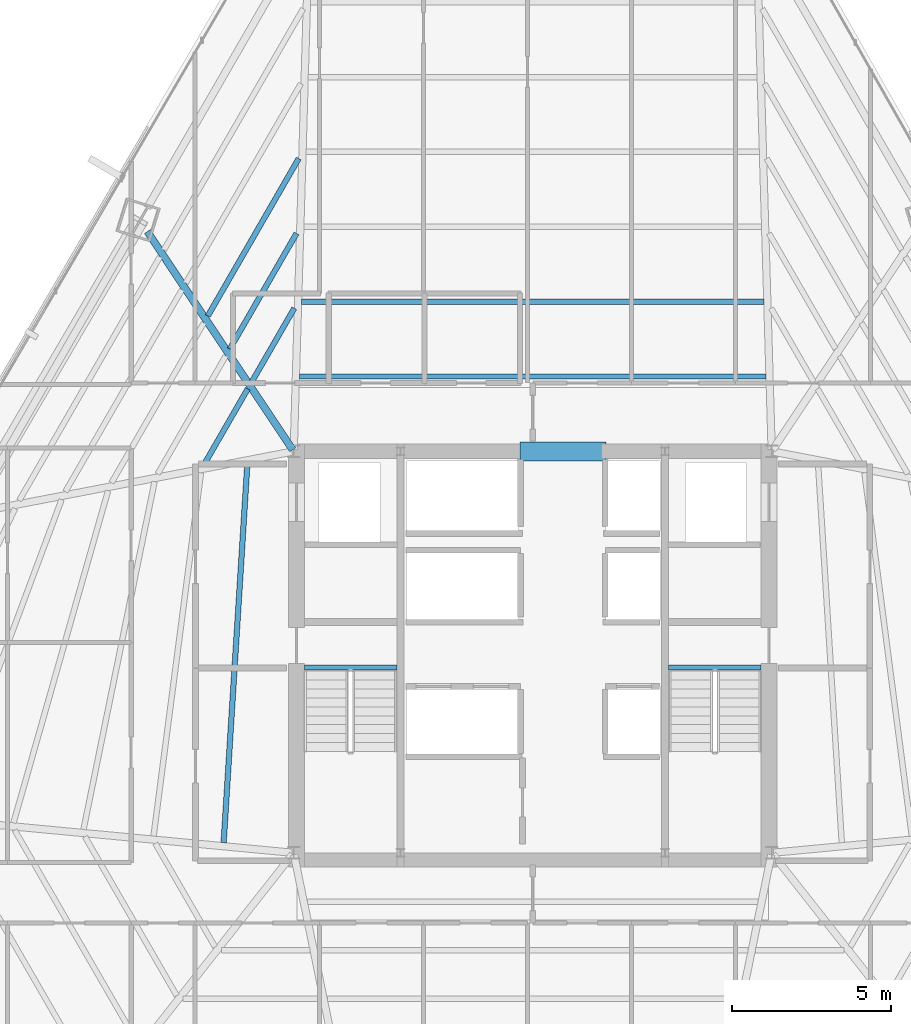
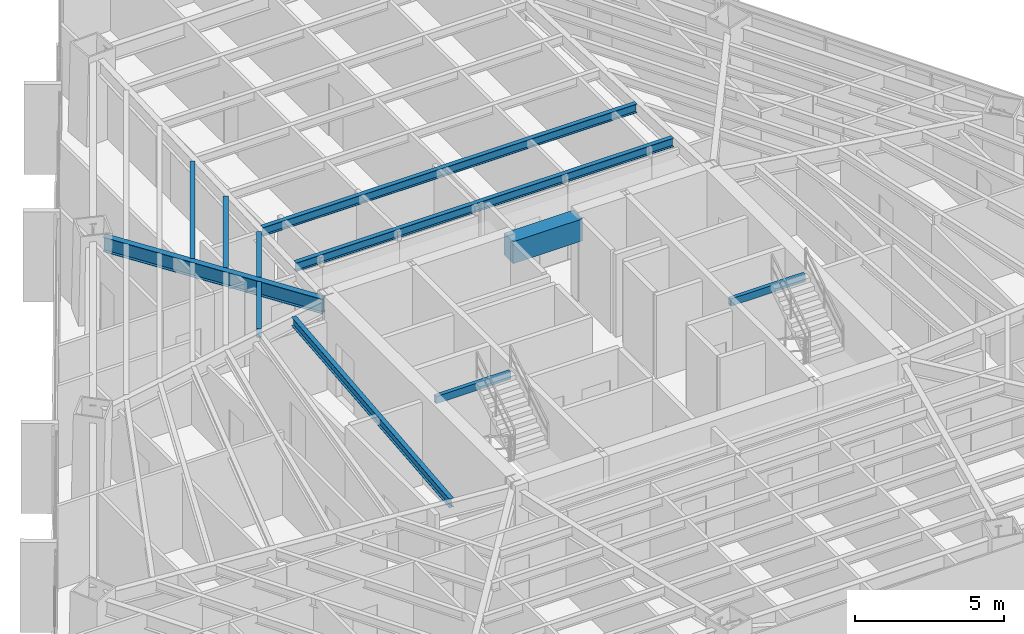
# One storey, part 15 of 37: 11 beams.
"""IFC4 building model written with IfcOpenShell, lengths in metres."""

from ifc_helpers import new_model, si_unit, direction, frame, origin, origin_2d, place, context, subcontext, project, spatial, rectangle, hollow_rectangle, i_section, extrude, source, transform, mapped, material, material_profile, profile_set, type_object, type_shapes, element, save


model = new_model("IFC4")

# Units and contexts
model_context = context("Model", 3, precision=1e-05, world=origin(), true_north=direction((0.0, 1.0)))
body_context = subcontext(model_context, "Body", "Model", "MODEL_VIEW")
ifc_project = project(units=[si_unit("LENGTHUNIT", "METRE"), si_unit("AREAUNIT", "SQUARE_METRE"), si_unit("VOLUMEUNIT", "CUBIC_METRE"), si_unit("PLANEANGLEUNIT", "RADIAN"), si_unit("MASSUNIT", "GRAM", prefix="KILO")], contexts=[model_context])

# Site, building, storey
site_placement = place(None, origin())
site = spatial("IfcSite", under=ifc_project, at=site_placement, CompositionType="ELEMENT")
building_placement = place(site_placement, origin())
building = spatial("IfcBuilding", under=site, at=building_placement, Name="Caelisora Broadcast Tower", CompositionType="ELEMENT")
storey_placement = place(building_placement, frame((0.0, 0.0, 120.0)))
storey = spatial("IfcBuildingStorey", under=building, at=storey_placement, Name="L31", CompositionType="ELEMENT", Elevation=120.0)

# Beams
ifc_material_1 = material(Name="Steel Grade 350 (AS/NZS 1163 C350L0)", Category="steel")
ifc_material_profile_1 = material_profile(ifc_material_1, hollow_rectangle(XDim=0.14990234375, YDim=0.300048828125, WallThickness=0.010009765625, at=origin_2d()), Name="Steel Grade 350 (AS/NZS 1163 C350L0)")
ifc_profile_set_1 = profile_set([ifc_material_profile_1], Name="Steel Grade 350 (AS/NZS 1163 C350L0)")
beam_type_1 = type_object("IfcBeamType", Name="SB05", PredefinedType="JOIST", material=ifc_profile_set_1)
shared_shape_1 = source(origin(), body_context, "Body", "SweptSolid", [
    extrude(hollow_rectangle(XDim=0.14990234375, YDim=0.300048828125, WallThickness=0.010009765625, at=origin_2d()), origin(), (0.0, 0.0, 1.0), 2.89990234375),
])
type_shapes(beam_type_1, [shared_shape_1])
for number, where, z_axis, x_axis, name in (
    (1, (30.840087890625, 23.219970703125, 3.25), (1.0, 0.0, 0.0), (0.0, 1.0, 0.0), "L31 beam SB05"),
    (2, (42.260009765625, 23.219970703125, 3.25), (1.0, 0.0, 0.0), (0.0, 1.0, 0.0), "L31 beam SB05"),
):
    element("IfcBeam", number, at=place(storey_placement, frame(where, z_axis=z_axis, x_axis=x_axis)), inside=storey, type_object=beam_type_1, Name=name, PredefinedType="JOIST", context=body_context, shape_type="MappedRepresentation", body=[
        mapped(shared_shape_1, transform((0.0, 0.0, 0.0), scale=1.0)),
    ])
ifc_material_2 = material(Name="Concrete 50 MPa (AS 3600 S50)", Category="concrete")
ifc_material_profile_2 = material_profile(ifc_material_2, rectangle(XDim=0.60009765625, YDim=0.89990234375, at=origin_2d()), Name="Concrete 50 MPa (AS 3600 S50)")
ifc_profile_set_2 = profile_set([ifc_material_profile_2], Name="Concrete 50 MPa (AS 3600 S50)")
beam_type_2 = type_object("IfcBeamType", Name="CB02", PredefinedType="LINTEL", material=ifc_profile_set_2)
shared_shape_2 = source(origin(), body_context, "Body", "SweptSolid", [
    extrude(rectangle(XDim=0.60009765625, YDim=0.89990234375, at=origin_2d()), origin(), (0.0, 0.0, 1.0), 2.699951171875),
])
type_shapes(beam_type_2, [shared_shape_2])
beam_1_placement = place(storey_placement, frame((37.60009765625, 30.0, 2.949951171875), z_axis=(1.0, 0.0, 0.0), x_axis=(0.0, 1.0, 0.0)))
element("IfcBeam", 3, at=beam_1_placement, inside=storey, type_object=beam_type_2, Name="L31 beam CB02", PredefinedType="LINTEL", context=body_context, shape_type="MappedRepresentation", body=[
    mapped(shared_shape_2, transform((0.0, 0.0, 0.0), scale=1.0)),
])
ifc_material_3 = material(Name="Steel Grade 350 (AS/NZS 3679.1)", Category="steel")
ifc_material_profile_3 = material_profile(ifc_material_3, i_section(OverallWidth=0.22802734375, OverallDepth=0.602294921875, WebThickness=0.010498046875, FlangeThickness=0.014892578125, at=origin_2d()), Name="Steel Grade 350 (AS/NZS 3679.1)")
ifc_profile_set_3 = profile_set([ifc_material_profile_3], Name="Steel Grade 350 (AS/NZS 3679.1)")
beam_type_3 = type_object("IfcBeamType", Name="PG04", PredefinedType="BEAM", material=ifc_profile_set_3)
shared_shape_3 = source(origin(), body_context, "Body", "SweptSolid", [
    extrude(i_section(OverallWidth=0.22802734375, OverallDepth=0.602294921875, WebThickness=0.010498046875, FlangeThickness=0.014892578125, at=origin_2d()), origin(), (0.0, 0.0, 1.0), 8.22607421875),
])
type_shapes(beam_type_3, [shared_shape_3])
beam_2_placement = place(storey_placement, frame((30.466796875, 30.0498046875, 3.098876953125), z_axis=(-0.554309745647, 0.832310462436, 0.0), x_axis=(-0.832310462436, -0.554309745647, 0.0)))
element("IfcBeam", 4, at=beam_2_placement, inside=storey, type_object=beam_type_3, Name="L31 beam PG04", PredefinedType="BEAM", context=body_context, shape_type="MappedRepresentation", body=[
    mapped(shared_shape_3, transform((0.0, 0.0, 0.0), scale=1.0)),
])
ifc_material_profile_4 = material_profile(ifc_material_3, i_section(OverallWidth=0.172119140625, OverallDepth=0.358642578125, WebThickness=0.008056640625, FlangeThickness=0.012939453125, at=origin_2d()), Name="Steel Grade 350 (AS/NZS 3679.1)")
ifc_profile_set_4 = profile_set([ifc_material_profile_4], Name="Steel Grade 350 (AS/NZS 3679.1)")
beam_type_4 = type_object("IfcBeamType", Name="SB02", PredefinedType="JOIST", material=ifc_profile_set_4)
shared_shape_4 = source(origin(), body_context, "Body", "SweptSolid", [
    extrude(i_section(OverallWidth=0.172119140625, OverallDepth=0.358642578125, WebThickness=0.008056640625, FlangeThickness=0.012939453125, at=origin_2d()), origin(), (0.0, 0.0, 1.0), 14.64013671875),
])
beam_3_placement = place(storey_placement, frame((45.320068359375, 32.3486328125, 3.220703125), z_axis=(-1.0, 0.0, 0.0), x_axis=(0.0, -1.0, 0.0)))
element("IfcBeam", 5, at=beam_3_placement, inside=storey, type_object=beam_type_4, Name="L31 beam SB02", PredefinedType="JOIST", context=body_context, shape_type="MappedRepresentation", body=[
    mapped(shared_shape_4, transform((0.0, 0.0, 0.0), scale=1.0)),
])
shared_shape_5 = source(origin(), body_context, "Body", "SweptSolid", [
    extrude(i_section(OverallWidth=0.172119140625, OverallDepth=0.358642578125, WebThickness=0.008056640625, FlangeThickness=0.012939453125, at=origin_2d()), origin(), (0.0, 0.0, 1.0), 14.501953125),
])
beam_4_placement = place(storey_placement, frame((45.2509765625, 34.697509765625, 3.220703125), z_axis=(-1.0, 0.0, 0.0), x_axis=(0.0, -1.0, 0.0)))
element("IfcBeam", 6, at=beam_4_placement, inside=storey, type_object=beam_type_4, Name="L31 beam SB02", PredefinedType="JOIST", context=body_context, shape_type="MappedRepresentation", body=[
    mapped(shared_shape_5, transform((0.0, 0.0, 0.0), scale=1.0)),
])
shared_shape_6 = source(origin(), body_context, "Body", "SweptSolid", [
    extrude(i_section(OverallWidth=0.172119140625, OverallDepth=0.358642578125, WebThickness=0.008056640625, FlangeThickness=0.012939453125, at=origin_2d()), origin(), (0.0, 0.0, 1.0), 2.671875),
])
beam_5_placement = place(storey_placement, frame((30.519287109375, 34.491943359375, 3.220703125), z_axis=(-0.499991375441, -0.866030383119, 0.0), x_axis=(0.866030383119, -0.499991375441, 0.0)))
element("IfcBeam", 7, at=beam_5_placement, inside=storey, type_object=beam_type_4, Name="L31 beam SB02", PredefinedType="JOIST", context=body_context, shape_type="MappedRepresentation", body=[
    mapped(shared_shape_6, transform((0.0, 0.0, 0.0), scale=1.0)),
])
shared_shape_7 = source(origin(), body_context, "Body", "SweptSolid", [
    extrude(i_section(OverallWidth=0.172119140625, OverallDepth=0.358642578125, WebThickness=0.008056640625, FlangeThickness=0.012939453125, at=origin_2d()), origin(), (0.0, 0.0, 1.0), 4.188720703125),
])
beam_6_placement = place(storey_placement, frame((30.58837890625, 36.840576171875, 3.220703125), z_axis=(-0.500031897912, -0.866006986733, 0.0), x_axis=(0.866006986733, -0.500031897912, 0.0)))
element("IfcBeam", 8, at=beam_6_placement, inside=storey, type_object=beam_type_4, Name="L31 beam SB02", PredefinedType="JOIST", context=body_context, shape_type="MappedRepresentation", body=[
    mapped(shared_shape_7, transform((0.0, 0.0, 0.0), scale=1.0)),
])
shared_shape_8 = source(origin(), body_context, "Body", "SweptSolid", [
    extrude(i_section(OverallWidth=0.172119140625, OverallDepth=0.358642578125, WebThickness=0.008056640625, FlangeThickness=0.012939453125, at=origin_2d()), origin(), (0.0, 0.0, 1.0), 5.705322265625),
])
beam_7_placement = place(storey_placement, frame((30.6572265625, 39.189208984375, 3.220703125), z_axis=(-0.499986688891, -0.86603308882, 0.0), x_axis=(0.86603308882, -0.499986688891, 0.0)))
element("IfcBeam", 9, at=beam_7_placement, inside=storey, type_object=beam_type_4, Name="L31 beam SB02", PredefinedType="JOIST", context=body_context, shape_type="MappedRepresentation", body=[
    mapped(shared_shape_8, transform((0.0, 0.0, 0.0), scale=1.0)),
])
shared_shape_9 = source(origin(), body_context, "Body", "SweptSolid", [
    extrude(i_section(OverallWidth=0.172119140625, OverallDepth=0.358642578125, WebThickness=0.008056640625, FlangeThickness=0.012939453125, at=origin_2d()), origin(), (0.0, 0.0, 1.0), 2.761474609375),
])
beam_8_placement = place(storey_placement, frame((29.05908203125, 31.962890625, 3.220703125), z_axis=(-0.499952043821, -0.866053089527, 0.0), x_axis=(0.866053089527, -0.499952043821, 0.0)))
element("IfcBeam", 10, at=beam_8_placement, inside=storey, type_object=beam_type_4, Name="L31 beam SB02", PredefinedType="JOIST", context=body_context, shape_type="MappedRepresentation", body=[
    mapped(shared_shape_9, transform((0.0, 0.0, 0.0), scale=1.0)),
])
shared_shape_10 = source(origin(), body_context, "Body", "SweptSolid", [
    extrude(i_section(OverallWidth=0.172119140625, OverallDepth=0.358642578125, WebThickness=0.008056640625, FlangeThickness=0.012939453125, at=origin_2d()), origin(), (0.0, 0.0, 1.0), 11.911376953125),
])
type_shapes(beam_type_4, [shared_shape_4, shared_shape_5, shared_shape_6, shared_shape_7, shared_shape_8, shared_shape_9, shared_shape_10])
beam_9_placement = place(storey_placement, frame((29.045166015625, 29.607177734375, 3.220703125), z_axis=(-0.062493128658, -0.998045394193, 0.0), x_axis=(0.998045394193, -0.062493128658, 0.0)))
element("IfcBeam", 11, at=beam_9_placement, inside=storey, type_object=beam_type_4, Name="L31 beam SB02", PredefinedType="JOIST", context=body_context, shape_type="MappedRepresentation", body=[
    mapped(shared_shape_10, transform((0.0, 0.0, 0.0), scale=1.0)),
])

save(model, "model.ifc")
